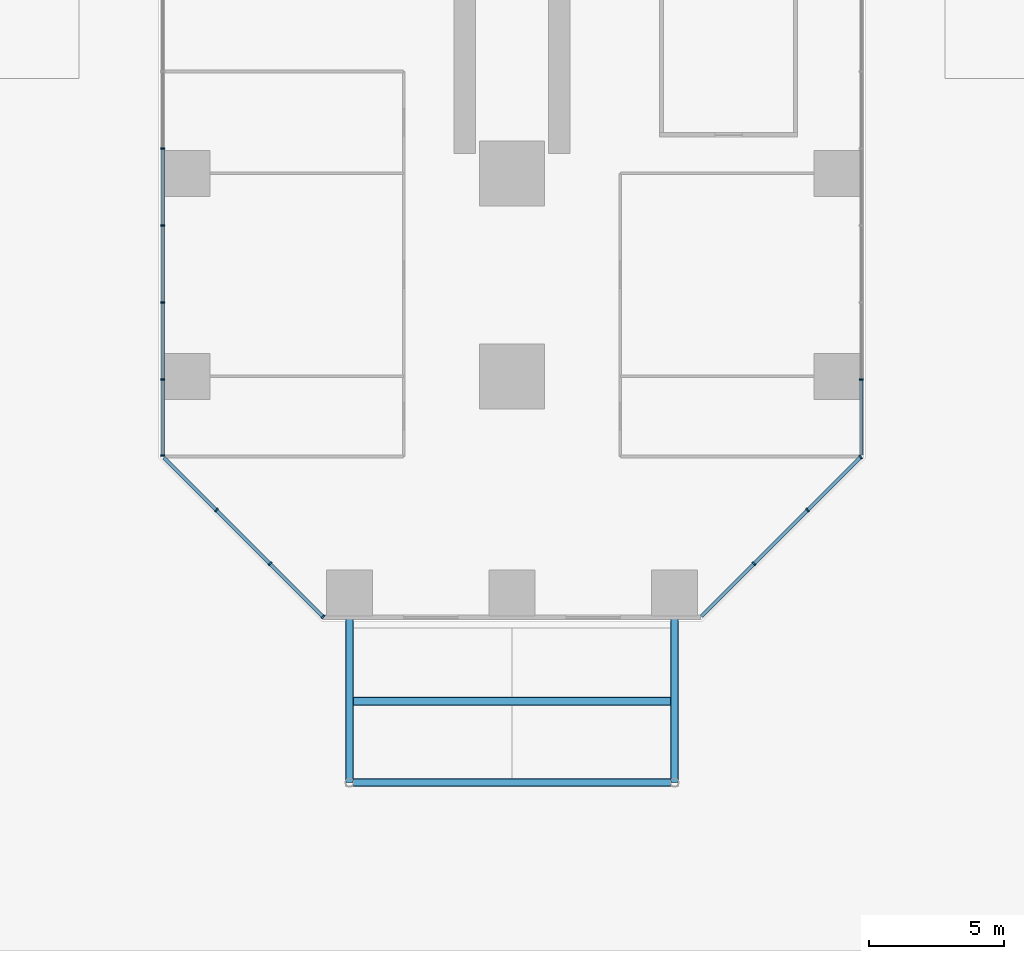
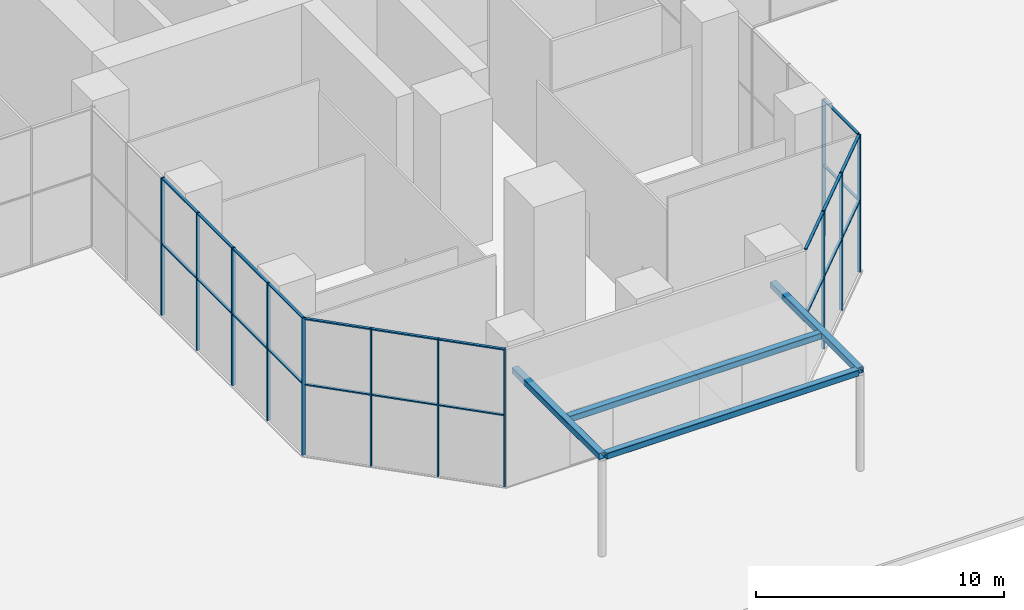
# One storey, part 5 of 43: 34 members, 4 beams, 4 elements without a shape of their own.
"""IFC4 building model written with IfcOpenShell, lengths in metres."""

from ifc_helpers import new_model, si_unit, direction, frame, origin, origin_2d, place, context, subcontext, project, spatial, rectangle, hollow_rectangle, extrude, material, material_profile, profile_set, type_object, element, aggregate, save


model = new_model("IFC4")

# Units and contexts
model_context = context("Model", 3, precision=1e-05, world=origin(), true_north=direction((0.0, 1.0)))
body_context = subcontext(model_context, "Body", "Model", "MODEL_VIEW")
ifc_project = project(units=[si_unit("LENGTHUNIT", "METRE"), si_unit("AREAUNIT", "SQUARE_METRE"), si_unit("VOLUMEUNIT", "CUBIC_METRE"), si_unit("PLANEANGLEUNIT", "RADIAN"), si_unit("MASSUNIT", "GRAM", prefix="KILO")], contexts=[model_context])

# Site, building, storey
site_placement = place(None, origin())
site = spatial("IfcSite", under=ifc_project, at=site_placement, CompositionType="ELEMENT")
building_placement = place(site_placement, origin())
building = spatial("IfcBuilding", under=site, at=building_placement, Name="Mizan Broadcast Tower", CompositionType="ELEMENT")
storey_placement = place(building_placement, origin())
storey = spatial("IfcBuildingStorey", under=building, at=storey_placement, Name="L00", CompositionType="ELEMENT", Elevation=0.0)

# Beams
ifc_material_1 = material(Name="Steel S355", Category="steel")
ifc_material_profile_1 = material_profile(ifc_material_1, hollow_rectangle(XDim=0.300048828125, YDim=0.300048828125, WallThickness=0.01611328125, InnerFilletRadius=0.01611328125, OuterFilletRadius=0.02392578125, at=origin_2d()), Name="SHS 300x300x16")
ifc_profile_set_1 = profile_set([ifc_material_profile_1], Name="Steel S355")
beam_type = type_object("IfcBeamType", Name="CANOPY BEAM SHS 300x300x16", PredefinedType="BEAM", material=ifc_profile_set_1)
for number, where, z_axis, x_axis, name in (
    (1, (-6.0, -35.0, 4.85009765625), (0.0, -1.0, 0.0), (1.0, 0.0, 0.0), "Canopy side beam 1"),
    (2, (6.0, -35.0, 4.85009765625), (0.0, -1.0, 0.0), (1.0, 0.0, 0.0), "Canopy side beam 2"),
):
    element("IfcBeam", number, at=place(storey_placement, frame(where, z_axis=z_axis, x_axis=x_axis)), inside=storey, type_object=beam_type, Name=name, PredefinedType="BEAM", context=body_context, shape_type="SweptSolid", body=[
        extrude(hollow_rectangle(XDim=0.300048828125, YDim=0.300048828125, WallThickness=0.01611328125, InnerFilletRadius=0.01611328125, OuterFilletRadius=0.02392578125, at=origin_2d()), origin(), (0.0, 0.0, 1.0), 7.0),
    ])
for number, where, z_axis, x_axis, name in (
    (3, (-5.85009765625, -42.0, 4.85009765625), (1.0, 0.0, 0.0), (0.0, 1.0, 0.0), "Canopy beam 1"),
    (4, (-5.85009765625, -39.0, 4.85009765625), (1.0, 0.0, 0.0), (0.0, 1.0, 0.0), "Canopy beam 2"),
):
    element("IfcBeam", number, at=place(storey_placement, frame(where, z_axis=z_axis, x_axis=x_axis)), inside=storey, type_object=beam_type, Name=name, PredefinedType="BEAM", context=body_context, shape_type="SweptSolid", body=[
        extrude(hollow_rectangle(XDim=0.300048828125, YDim=0.300048828125, WallThickness=0.01611328125, InnerFilletRadius=0.01611328125, OuterFilletRadius=0.02392578125, at=origin_2d()), origin(), (0.0, 0.0, 1.0), 11.7001953125),
    ])

# Curtain wall, members
ifc_material_2 = material(Name="Aluminium framed glazing", Category="aluminium")
curtain_wall_type = type_object("IfcCurtainWallType", Name="ENTRANCE CW", PredefinedType="USERDEFINED", material=ifc_material_2)
curtain_wall_1_placement = place(storey_placement, origin())
curtain_wall_1 = element("IfcCurtainWall", 5, at=curtain_wall_1_placement, inside=storey, type_object=curtain_wall_type, Name="Entrance cw L00 S side", ObjectType="ENTRANCE CW", PredefinedType="USERDEFINED")
ifc_material_3 = material(Name="Aluminium, pale anodised", Category="aluminium")
ifc_material_profile_2 = material_profile(ifc_material_3, rectangle(XDim=0.159912109375, YDim=0.06005859375, at=origin_2d()), Name="MULLION 160x60")
ifc_profile_set_2 = profile_set([ifc_material_profile_2], Name="Aluminium, pale anodised")
member_type_1 = type_object("IfcMemberType", Name="INNER SKIN MULLION 60x160", PredefinedType="MULLION", material=ifc_profile_set_2)
member_1_placement = place(storey_placement, frame((-12.89990234375, -18.586181640625, 0.0), z_axis=(0.0, 0.0, 1.0), x_axis=(1.0, 0.0, 0.0)))
member_1 = element("IfcMember", 6, at=member_1_placement, type_object=member_type_1, Name="Entrance cw L00 S side mullion 3", PredefinedType="MULLION", context=body_context, shape_type="SweptSolid", body=[
    extrude(rectangle(XDim=0.159912109375, YDim=0.06005859375, at=origin_2d()), origin(), (0.0, 0.0, 1.0), 6.75),
])
member_2_placement = place(storey_placement, frame((-12.89990234375, -21.42919921875, 0.0), z_axis=(0.0, 0.0, 1.0), x_axis=(1.0, 0.0, 0.0)))
member_2 = element("IfcMember", 7, at=member_2_placement, type_object=member_type_1, Name="Entrance cw L00 S side mullion 4", PredefinedType="MULLION", context=body_context, shape_type="SweptSolid", body=[
    extrude(rectangle(XDim=0.159912109375, YDim=0.06005859375, at=origin_2d()), origin(), (0.0, 0.0, 1.0), 6.75),
])
member_3_placement = place(storey_placement, frame((-12.89990234375, -24.2724609375, 0.0), z_axis=(0.0, 0.0, 1.0), x_axis=(1.0, 0.0, 0.0)))
member_3 = element("IfcMember", 8, at=member_3_placement, type_object=member_type_1, Name="Entrance cw L00 S side mullion 5", PredefinedType="MULLION", context=body_context, shape_type="SweptSolid", body=[
    extrude(rectangle(XDim=0.159912109375, YDim=0.06005859375, at=origin_2d()), origin(), (0.0, 0.0, 1.0), 6.75),
])
member_4_placement = place(storey_placement, frame((-12.89990234375, -27.115478515625, 0.0), z_axis=(0.0, 0.0, 1.0), x_axis=(1.0, 0.0, 0.0)))
member_4 = element("IfcMember", 9, at=member_4_placement, type_object=member_type_1, Name="Entrance cw L00 S side mullion 6", PredefinedType="MULLION", context=body_context, shape_type="SweptSolid", body=[
    extrude(rectangle(XDim=0.159912109375, YDim=0.06005859375, at=origin_2d()), origin(), (0.0, 0.0, 1.0), 6.75),
])
member_5_placement = place(storey_placement, frame((-12.89990234375, -29.928466796875, 0.0), z_axis=(0.0, 0.0, 1.0), x_axis=(1.0, 0.0, 0.0)))
member_5 = element("IfcMember", 10, at=member_5_placement, type_object=member_type_1, Name="Entrance cw L00 S side mullion 7", PredefinedType="MULLION", context=body_context, shape_type="SweptSolid", body=[
    extrude(rectangle(XDim=0.159912109375, YDim=0.06005859375, at=origin_2d()), origin(), (0.0, 0.0, 1.0), 6.75),
])

curtain_wall_2_placement = place(storey_placement, origin())
curtain_wall_2 = element("IfcCurtainWall", 11, at=curtain_wall_2_placement, inside=storey, type_object=curtain_wall_type, Name="Entrance cw L00 S chamfer", ObjectType="ENTRANCE CW", PredefinedType="USERDEFINED")
member_6_placement = place(storey_placement, frame((-10.91943359375, -31.93896484375, 0.0), z_axis=(0.0, 0.0, 1.0), x_axis=(0.707106781187, 0.707106781187, 0.0)))
member_6 = element("IfcMember", 12, at=member_6_placement, type_object=member_type_1, Name="Entrance cw L00 S chamfer mullion 2", PredefinedType="MULLION", context=body_context, shape_type="SweptSolid", body=[
    extrude(rectangle(XDim=0.159912109375, YDim=0.06005859375, at=origin_2d()), origin(), (0.0, 0.0, 1.0), 6.75),
])
member_7_placement = place(storey_placement, frame((-8.93896484375, -33.91943359375, 0.0), z_axis=(0.0, 0.0, 1.0), x_axis=(0.707106781187, 0.707106781187, 0.0)))
member_7 = element("IfcMember", 13, at=member_7_placement, type_object=member_type_1, Name="Entrance cw L00 S chamfer mullion 3", PredefinedType="MULLION", context=body_context, shape_type="SweptSolid", body=[
    extrude(rectangle(XDim=0.159912109375, YDim=0.06005859375, at=origin_2d()), origin(), (0.0, 0.0, 1.0), 6.75),
])
member_8_placement = place(storey_placement, frame((-6.979736328125, -35.87890625, 0.0), z_axis=(0.0, 0.0, 1.0), x_axis=(0.707106781187, 0.707106781187, 0.0)))
member_8 = element("IfcMember", 14, at=member_8_placement, type_object=member_type_1, Name="Entrance cw L00 S chamfer mullion 4", PredefinedType="MULLION", context=body_context, shape_type="SweptSolid", body=[
    extrude(rectangle(XDim=0.159912109375, YDim=0.06005859375, at=origin_2d()), origin(), (0.0, 0.0, 1.0), 6.75),
])

curtain_wall_3_placement = place(storey_placement, origin())
curtain_wall_3 = element("IfcCurtainWall", 15, at=curtain_wall_3_placement, inside=storey, type_object=curtain_wall_type, Name="Entrance cw L00 S chamfer", ObjectType="ENTRANCE CW", PredefinedType="USERDEFINED")
member_9_placement = place(storey_placement, frame((8.93896484375, -33.91943359375, 0.0), z_axis=(0.0, 0.0, 1.0), x_axis=(-0.707106781187, 0.707106781187, 0.0)))
member_9 = element("IfcMember", 16, at=member_9_placement, type_object=member_type_1, Name="Entrance cw L00 S chamfer mullion 2", PredefinedType="MULLION", context=body_context, shape_type="SweptSolid", body=[
    extrude(rectangle(XDim=0.159912109375, YDim=0.06005859375, at=origin_2d()), origin(), (0.0, 0.0, 1.0), 6.75),
])
member_10_placement = place(storey_placement, frame((10.91943359375, -31.93896484375, 0.0), z_axis=(0.0, 0.0, 1.0), x_axis=(-0.707106781187, 0.707106781187, 0.0)))
member_10 = element("IfcMember", 17, at=member_10_placement, type_object=member_type_1, Name="Entrance cw L00 S chamfer mullion 3", PredefinedType="MULLION", context=body_context, shape_type="SweptSolid", body=[
    extrude(rectangle(XDim=0.159912109375, YDim=0.06005859375, at=origin_2d()), origin(), (0.0, 0.0, 1.0), 6.75),
])
member_11_placement = place(storey_placement, frame((12.87890625, -29.979736328125, 0.0), z_axis=(0.0, 0.0, 1.0), x_axis=(-0.707106781187, 0.707106781187, 0.0)))
member_11 = element("IfcMember", 18, at=member_11_placement, type_object=member_type_1, Name="Entrance cw L00 S chamfer mullion 4", PredefinedType="MULLION", context=body_context, shape_type="SweptSolid", body=[
    extrude(rectangle(XDim=0.159912109375, YDim=0.06005859375, at=origin_2d()), origin(), (0.0, 0.0, 1.0), 6.75),
])

# Curtain wall, member
curtain_wall_4_placement = place(storey_placement, origin())
curtain_wall_4 = element("IfcCurtainWall", 19, at=curtain_wall_4_placement, inside=storey, type_object=curtain_wall_type, Name="Entrance cw L00 S side", ObjectType="ENTRANCE CW", PredefinedType="USERDEFINED")
member_12_placement = place(storey_placement, frame((12.89990234375, -27.115478515625, 0.0), z_axis=(0.0, 0.0, 1.0), x_axis=(-1.0, 0.0, 0.0)))
member_12 = element("IfcMember", 20, at=member_12_placement, type_object=member_type_1, Name="Entrance cw L00 S side mullion 2", PredefinedType="MULLION", context=body_context, shape_type="SweptSolid", body=[
    extrude(rectangle(XDim=0.159912109375, YDim=0.06005859375, at=origin_2d()), origin(), (0.0, 0.0, 1.0), 6.75),
])

# Member
ifc_material_4 = material(Name="Aluminium, pale anodised", Category="aluminium")
ifc_material_profile_3 = material_profile(ifc_material_4, rectangle(XDim=0.1201171875, YDim=0.06005859375, at=origin_2d()), Name="TRANSOM 120x60")
ifc_profile_set_3 = profile_set([ifc_material_profile_3], Name="Aluminium, pale anodised")
member_type_2 = type_object("IfcMemberType", Name="INNER SKIN TRANSOM 60x120", PredefinedType="USERDEFINED", material=ifc_profile_set_3)
member_13_placement = place(storey_placement, frame((-12.89990234375, -18.6162109375, 3.5), z_axis=(0.0, -1.0, 0.0), x_axis=(1.0, 0.0, 0.0)))
member_13 = element("IfcMember", 21, at=member_13_placement, type_object=member_type_2, Name="Entrance cw L00 S side transom 3.1", ObjectType="TRANSOM", PredefinedType="USERDEFINED", context=body_context, shape_type="SweptSolid", body=[
    extrude(rectangle(XDim=0.1201171875, YDim=0.06005859375, at=origin_2d()), origin(), (0.0, 0.0, 1.0), 2.782958984375),
])

member_14_placement = place(storey_placement, frame((-12.89990234375, -18.6162109375, 6.719970703125), z_axis=(0.0, -1.0, 0.0), x_axis=(1.0, 0.0, 0.0)))
member_14 = element("IfcMember", 22, at=member_14_placement, type_object=member_type_2, Name="Entrance cw L00 S side transom 3.2", ObjectType="TRANSOM", PredefinedType="USERDEFINED", context=body_context, shape_type="SweptSolid", body=[
    extrude(rectangle(XDim=0.1201171875, YDim=0.06005859375, at=origin_2d()), origin(), (0.0, 0.0, 1.0), 2.782958984375),
])

member_15_placement = place(storey_placement, frame((-12.89990234375, -21.459228515625, 3.5), z_axis=(0.0, -1.0, 0.0), x_axis=(1.0, 0.0, 0.0)))
member_15 = element("IfcMember", 23, at=member_15_placement, type_object=member_type_2, Name="Entrance cw L00 S side transom 4.1", ObjectType="TRANSOM", PredefinedType="USERDEFINED", context=body_context, shape_type="SweptSolid", body=[
    extrude(rectangle(XDim=0.1201171875, YDim=0.06005859375, at=origin_2d()), origin(), (0.0, 0.0, 1.0), 2.783203125),
])

member_16_placement = place(storey_placement, frame((-12.89990234375, -21.459228515625, 6.719970703125), z_axis=(0.0, -1.0, 0.0), x_axis=(1.0, 0.0, 0.0)))
member_16 = element("IfcMember", 24, at=member_16_placement, type_object=member_type_2, Name="Entrance cw L00 S side transom 4.2", ObjectType="TRANSOM", PredefinedType="USERDEFINED", context=body_context, shape_type="SweptSolid", body=[
    extrude(rectangle(XDim=0.1201171875, YDim=0.06005859375, at=origin_2d()), origin(), (0.0, 0.0, 1.0), 2.783203125),
])

member_17_placement = place(storey_placement, frame((-12.89990234375, -24.302490234375, 3.5), z_axis=(0.0, -1.0, 0.0), x_axis=(1.0, 0.0, 0.0)))
member_17 = element("IfcMember", 25, at=member_17_placement, type_object=member_type_2, Name="Entrance cw L00 S side transom 5.1", ObjectType="TRANSOM", PredefinedType="USERDEFINED", context=body_context, shape_type="SweptSolid", body=[
    extrude(rectangle(XDim=0.1201171875, YDim=0.06005859375, at=origin_2d()), origin(), (0.0, 0.0, 1.0), 2.782958984375),
])

member_18_placement = place(storey_placement, frame((-12.89990234375, -24.302490234375, 6.719970703125), z_axis=(0.0, -1.0, 0.0), x_axis=(1.0, 0.0, 0.0)))
member_18 = element("IfcMember", 26, at=member_18_placement, type_object=member_type_2, Name="Entrance cw L00 S side transom 5.2", ObjectType="TRANSOM", PredefinedType="USERDEFINED", context=body_context, shape_type="SweptSolid", body=[
    extrude(rectangle(XDim=0.1201171875, YDim=0.06005859375, at=origin_2d()), origin(), (0.0, 0.0, 1.0), 2.782958984375),
])

member_19_placement = place(storey_placement, frame((-12.89990234375, -27.1455078125, 3.5), z_axis=(0.0, -1.0, 0.0), x_axis=(1.0, 0.0, 0.0)))
member_19 = element("IfcMember", 27, at=member_19_placement, type_object=member_type_2, Name="Entrance cw L00 S side transom 6.1", ObjectType="TRANSOM", PredefinedType="USERDEFINED", context=body_context, shape_type="SweptSolid", body=[
    extrude(rectangle(XDim=0.1201171875, YDim=0.06005859375, at=origin_2d()), origin(), (0.0, 0.0, 1.0), 2.753173828125),
])

member_20_placement = place(storey_placement, frame((-12.89990234375, -27.1455078125, 6.719970703125), z_axis=(0.0, -1.0, 0.0), x_axis=(1.0, 0.0, 0.0)))
member_20 = element("IfcMember", 28, at=member_20_placement, type_object=member_type_2, Name="Entrance cw L00 S side transom 6.2", ObjectType="TRANSOM", PredefinedType="USERDEFINED", context=body_context, shape_type="SweptSolid", body=[
    extrude(rectangle(XDim=0.1201171875, YDim=0.06005859375, at=origin_2d()), origin(), (0.0, 0.0, 1.0), 2.753173828125),
])

aggregate(curtain_wall_1, [member_1, member_2, member_3, member_4, member_5, member_13, member_14, member_15, member_16, member_17, member_18, member_19, member_20])

member_21_placement = place(storey_placement, frame((-12.857666015625, -30.0009765625, 3.5), z_axis=(0.707151809797, -0.707061749709, 0.0), x_axis=(0.707061749709, 0.707151809797, 0.0)))
member_21 = element("IfcMember", 29, at=member_21_placement, type_object=member_type_2, Name="Entrance cw L00 S chamfer transom 1.1", ObjectType="TRANSOM", PredefinedType="USERDEFINED", context=body_context, shape_type="SweptSolid", body=[
    extrude(rectangle(XDim=0.1201171875, YDim=0.06005859375, at=origin_2d()), origin(), (0.0, 0.0, 1.0), 2.7109375),
])

member_22_placement = place(storey_placement, frame((-12.857666015625, -30.0009765625, 6.719970703125), z_axis=(0.707151809797, -0.707061749709, 0.0), x_axis=(0.707061749709, 0.707151809797, 0.0)))
member_22 = element("IfcMember", 30, at=member_22_placement, type_object=member_type_2, Name="Entrance cw L00 S chamfer transom 1.2", ObjectType="TRANSOM", PredefinedType="USERDEFINED", context=body_context, shape_type="SweptSolid", body=[
    extrude(rectangle(XDim=0.1201171875, YDim=0.06005859375, at=origin_2d()), origin(), (0.0, 0.0, 1.0), 2.7109375),
])

member_23_placement = place(storey_placement, frame((-10.898193359375, -31.960205078125, 3.5), z_axis=(0.707106781187, -0.707106781187, 0.0), x_axis=(0.707106781187, 0.707106781187, 0.0)))
member_23 = element("IfcMember", 31, at=member_23_placement, type_object=member_type_2, Name="Entrance cw L00 S chamfer transom 2.1", ObjectType="TRANSOM", PredefinedType="USERDEFINED", context=body_context, shape_type="SweptSolid", body=[
    extrude(rectangle(XDim=0.1201171875, YDim=0.06005859375, at=origin_2d()), origin(), (0.0, 0.0, 1.0), 2.74072265625),
])

member_24_placement = place(storey_placement, frame((-10.898193359375, -31.960205078125, 6.719970703125), z_axis=(0.707106781187, -0.707106781187, 0.0), x_axis=(0.707106781187, 0.707106781187, 0.0)))
member_24 = element("IfcMember", 32, at=member_24_placement, type_object=member_type_2, Name="Entrance cw L00 S chamfer transom 2.2", ObjectType="TRANSOM", PredefinedType="USERDEFINED", context=body_context, shape_type="SweptSolid", body=[
    extrude(rectangle(XDim=0.1201171875, YDim=0.06005859375, at=origin_2d()), origin(), (0.0, 0.0, 1.0), 2.74072265625),
])

member_25_placement = place(storey_placement, frame((-8.917724609375, -33.940673828125, 3.5), z_axis=(0.707061749709, -0.707151809797, 0.0), x_axis=(0.707151809797, 0.707061749709, 0.0)))
member_25 = element("IfcMember", 33, at=member_25_placement, type_object=member_type_2, Name="Entrance cw L00 S chamfer transom 3.1", ObjectType="TRANSOM", PredefinedType="USERDEFINED", context=body_context, shape_type="SweptSolid", body=[
    extrude(rectangle(XDim=0.1201171875, YDim=0.06005859375, at=origin_2d()), origin(), (0.0, 0.0, 1.0), 2.7109375),
])

member_26_placement = place(storey_placement, frame((-8.917724609375, -33.940673828125, 6.719970703125), z_axis=(0.707061749709, -0.707151809797, 0.0), x_axis=(0.707151809797, 0.707061749709, 0.0)))
member_26 = element("IfcMember", 34, at=member_26_placement, type_object=member_type_2, Name="Entrance cw L00 S chamfer transom 3.2", ObjectType="TRANSOM", PredefinedType="USERDEFINED", context=body_context, shape_type="SweptSolid", body=[
    extrude(rectangle(XDim=0.1201171875, YDim=0.06005859375, at=origin_2d()), origin(), (0.0, 0.0, 1.0), 2.7109375),
])

aggregate(curtain_wall_2, [member_6, member_7, member_8, member_21, member_22, member_23, member_24, member_25, member_26])

member_27_placement = place(storey_placement, frame((7.0009765625, -35.857666015625, 3.5), z_axis=(0.707061749709, 0.707151809797, 0.0), x_axis=(-0.707151809797, 0.707061749709, 0.0)))
member_27 = element("IfcMember", 35, at=member_27_placement, type_object=member_type_2, Name="Entrance cw L00 S chamfer transom 1.1", ObjectType="TRANSOM", PredefinedType="USERDEFINED", context=body_context, shape_type="SweptSolid", body=[
    extrude(rectangle(XDim=0.1201171875, YDim=0.06005859375, at=origin_2d()), origin(), (0.0, 0.0, 1.0), 2.7109375),
])

member_28_placement = place(storey_placement, frame((7.0009765625, -35.857666015625, 6.719970703125), z_axis=(0.707061749709, 0.707151809797, 0.0), x_axis=(-0.707151809797, 0.707061749709, 0.0)))
member_28 = element("IfcMember", 36, at=member_28_placement, type_object=member_type_2, Name="Entrance cw L00 S chamfer transom 1.2", ObjectType="TRANSOM", PredefinedType="USERDEFINED", context=body_context, shape_type="SweptSolid", body=[
    extrude(rectangle(XDim=0.1201171875, YDim=0.06005859375, at=origin_2d()), origin(), (0.0, 0.0, 1.0), 2.7109375),
])

member_29_placement = place(storey_placement, frame((8.960205078125, -33.898193359375, 3.5), z_axis=(0.707106781187, 0.707106781187, 0.0), x_axis=(-0.707106781187, 0.707106781187, 0.0)))
member_29 = element("IfcMember", 37, at=member_29_placement, type_object=member_type_2, Name="Entrance cw L00 S chamfer transom 2.1", ObjectType="TRANSOM", PredefinedType="USERDEFINED", context=body_context, shape_type="SweptSolid", body=[
    extrude(rectangle(XDim=0.1201171875, YDim=0.06005859375, at=origin_2d()), origin(), (0.0, 0.0, 1.0), 2.74072265625),
])

member_30_placement = place(storey_placement, frame((8.960205078125, -33.898193359375, 6.719970703125), z_axis=(0.707106781187, 0.707106781187, 0.0), x_axis=(-0.707106781187, 0.707106781187, 0.0)))
member_30 = element("IfcMember", 38, at=member_30_placement, type_object=member_type_2, Name="Entrance cw L00 S chamfer transom 2.2", ObjectType="TRANSOM", PredefinedType="USERDEFINED", context=body_context, shape_type="SweptSolid", body=[
    extrude(rectangle(XDim=0.1201171875, YDim=0.06005859375, at=origin_2d()), origin(), (0.0, 0.0, 1.0), 2.74072265625),
])

member_31_placement = place(storey_placement, frame((10.940673828125, -31.917724609375, 3.5), z_axis=(0.707151809797, 0.707061749709, 0.0), x_axis=(-0.707061749709, 0.707151809797, 0.0)))
member_31 = element("IfcMember", 39, at=member_31_placement, type_object=member_type_2, Name="Entrance cw L00 S chamfer transom 3.1", ObjectType="TRANSOM", PredefinedType="USERDEFINED", context=body_context, shape_type="SweptSolid", body=[
    extrude(rectangle(XDim=0.1201171875, YDim=0.06005859375, at=origin_2d()), origin(), (0.0, 0.0, 1.0), 2.7109375),
])

member_32_placement = place(storey_placement, frame((10.940673828125, -31.917724609375, 6.719970703125), z_axis=(0.707151809797, 0.707061749709, 0.0), x_axis=(-0.707061749709, 0.707151809797, 0.0)))
member_32 = element("IfcMember", 40, at=member_32_placement, type_object=member_type_2, Name="Entrance cw L00 S chamfer transom 3.2", ObjectType="TRANSOM", PredefinedType="USERDEFINED", context=body_context, shape_type="SweptSolid", body=[
    extrude(rectangle(XDim=0.1201171875, YDim=0.06005859375, at=origin_2d()), origin(), (0.0, 0.0, 1.0), 2.7109375),
])

aggregate(curtain_wall_3, [member_9, member_10, member_11, member_27, member_28, member_29, member_30, member_31, member_32])

member_33_placement = place(storey_placement, frame((12.89990234375, -29.898681640625, 3.5), z_axis=(0.0, 1.0, 0.0), x_axis=(-1.0, 0.0, 0.0)))
member_33 = element("IfcMember", 41, at=member_33_placement, type_object=member_type_2, Name="Entrance cw L00 S side transom 1.1", ObjectType="TRANSOM", PredefinedType="USERDEFINED", context=body_context, shape_type="SweptSolid", body=[
    extrude(rectangle(XDim=0.1201171875, YDim=0.06005859375, at=origin_2d()), origin(), (0.0, 0.0, 1.0), 2.753173828125),
])

member_34_placement = place(storey_placement, frame((12.89990234375, -29.898681640625, 6.719970703125), z_axis=(0.0, 1.0, 0.0), x_axis=(-1.0, 0.0, 0.0)))
member_34 = element("IfcMember", 42, at=member_34_placement, type_object=member_type_2, Name="Entrance cw L00 S side transom 1.2", ObjectType="TRANSOM", PredefinedType="USERDEFINED", context=body_context, shape_type="SweptSolid", body=[
    extrude(rectangle(XDim=0.1201171875, YDim=0.06005859375, at=origin_2d()), origin(), (0.0, 0.0, 1.0), 2.753173828125),
])

aggregate(curtain_wall_4, [member_12, member_33, member_34])

save(model, "model.ifc")
